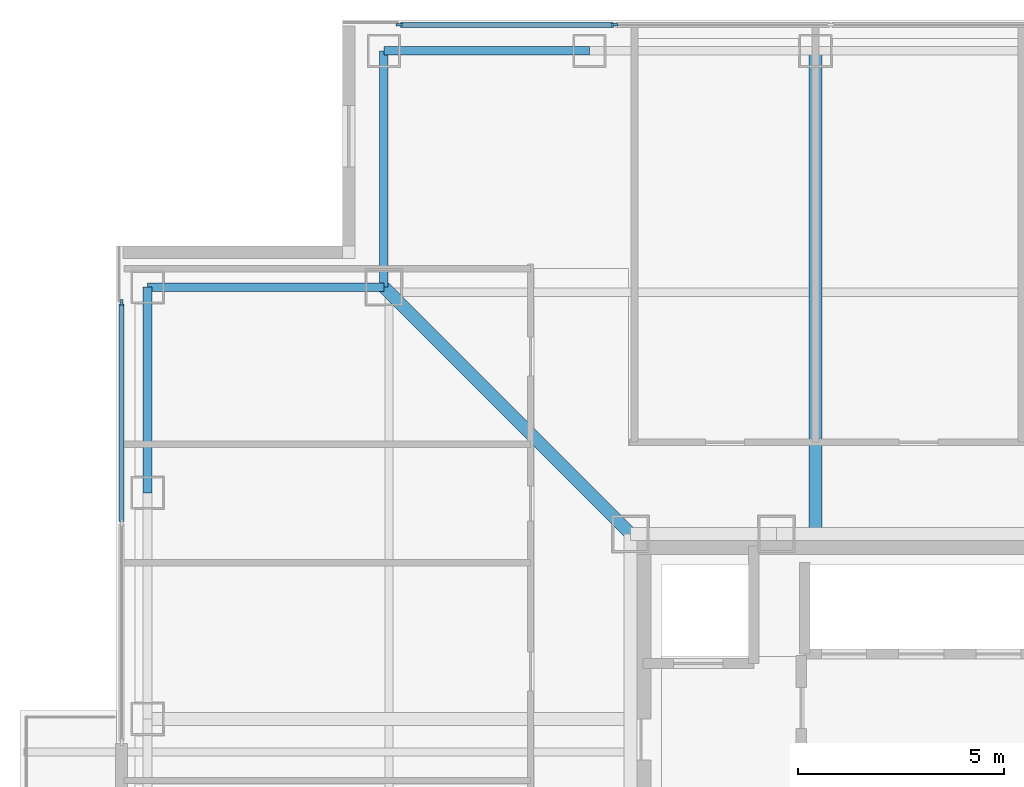
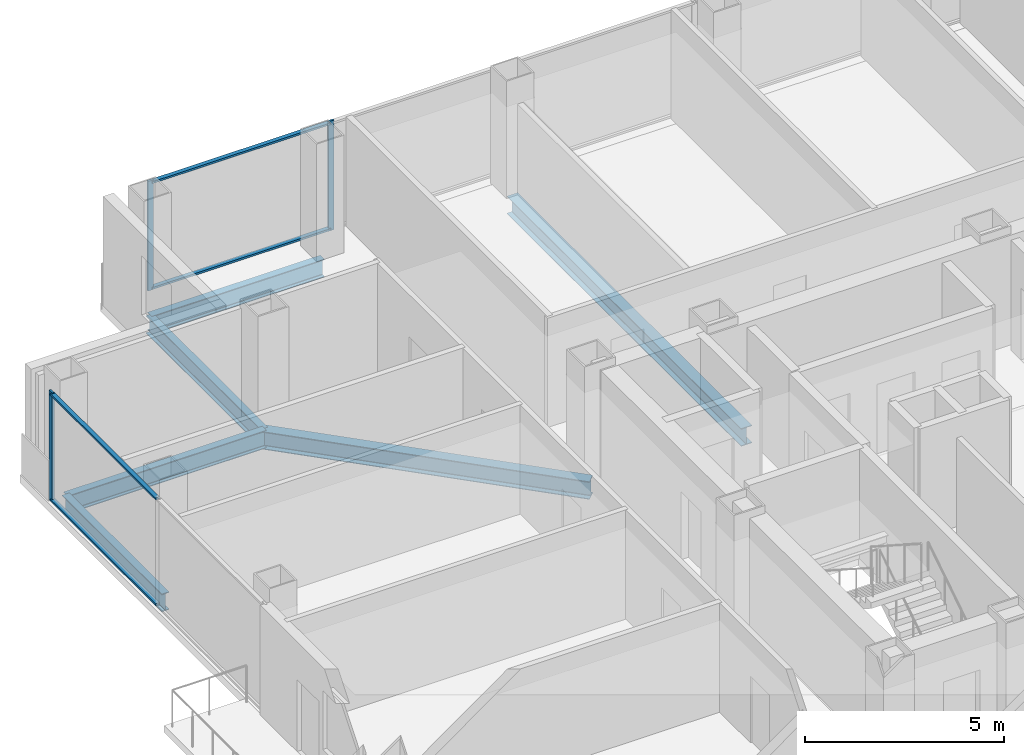
# One storey, part 7 of 16: 7 members, 6 beams, 2 elements without a shape of their own.
"""IFC4 building model written with IfcOpenShell, lengths in metres."""

from ifc_helpers import new_model, si_unit, direction, frame, origin, origin_2d, place, context, subcontext, project, spatial, rectangle, i_section, extrude, material, layer, layer_set, material_profile, profile_set, type_object, element, aggregate, save


model = new_model("IFC4")

# Units and contexts
model_context = context("Model", 3, precision=1e-05, world=origin(), true_north=direction((0.0, 1.0)))
body_context = subcontext(model_context, "Body", "Model", "MODEL_VIEW")
ifc_project = project(units=[si_unit("LENGTHUNIT", "METRE"), si_unit("AREAUNIT", "SQUARE_METRE"), si_unit("VOLUMEUNIT", "CUBIC_METRE"), si_unit("PLANEANGLEUNIT", "RADIAN"), si_unit("MASSUNIT", "GRAM", prefix="KILO")], contexts=[model_context])

# Site, building, storey
site_placement = place(None, origin())
site = spatial("IfcSite", under=ifc_project, at=site_placement, CompositionType="ELEMENT")
building_placement = place(site_placement, origin())
building = spatial("IfcBuilding", under=site, at=building_placement, Name="Trevonay Congress Spire", CompositionType="ELEMENT")
storey_placement = place(building_placement, frame((0.0, 0.0, 177.0)))
storey = spatial("IfcBuildingStorey", under=building, at=storey_placement, Name="L45", CompositionType="ELEMENT", Elevation=177.0)

# Beams
ifc_material_1 = material(Name="Steel ASTM A572 Grade 50", Category="steel")
ifc_material_profile_1 = material_profile(ifc_material_1, i_section(OverallWidth=0.31201171875, OverallDepth=0.54296875, WebThickness=0.0126953125, FlangeThickness=0.020263671875, FilletRadius=0.014892578125, at=origin_2d()), Name="W530x150")
ifc_profile_set_1 = profile_set([ifc_material_profile_1], Name="Steel ASTM A572 Grade 50")
beam_type_1 = type_object("IfcBeamType", Name="BM-GIRD-W530X150", PredefinedType="BEAM", material=ifc_profile_set_1)
beam_1_placement = place(storey_placement, frame((-7.5, 7.5, -0.511474609375), z_axis=(-0.707106781187, 0.707106781187, 0.0), x_axis=(-0.707106781187, -0.707106781187, 0.0)))
element("IfcBeam", 1, at=beam_1_placement, inside=storey, type_object=beam_type_1, Name="L45 structural beam BM-L45-CDNW", PredefinedType="BEAM", context=body_context, shape_type="SweptSolid", body=[
    extrude(i_section(OverallWidth=0.31201171875, OverallDepth=0.54296875, WebThickness=0.0126953125, FlangeThickness=0.020263671875, FilletRadius=0.014892578125, at=origin_2d()), origin(), (0.0, 0.0, 1.0), 8.4853515625),
])
beam_2_placement = place(storey_placement, frame((-3.0, 7.5, -0.511474609375), z_axis=(0.0, 1.0, 0.0), x_axis=(-1.0, 0.0, 0.0)))
element("IfcBeam", 2, at=beam_2_placement, inside=storey, type_object=beam_type_1, Name="L45 structural beam BM-L45-GN-M", PredefinedType="BEAM", context=body_context, shape_type="SweptSolid", body=[
    extrude(i_section(OverallWidth=0.31201171875, OverallDepth=0.54296875, WebThickness=0.0126953125, FlangeThickness=0.020263671875, FilletRadius=0.014892578125, at=origin_2d()), origin(), (0.0, 0.0, 1.0), 11.75),
])
ifc_material_profile_2 = material_profile(ifc_material_1, i_section(OverallWidth=0.2119140625, OverallDepth=0.5439453125, WebThickness=0.01318359375, FlangeThickness=0.021240234375, FilletRadius=0.014892578125, at=origin_2d()), Name="W530x123")
ifc_profile_set_2 = profile_set([ifc_material_profile_2], Name="Steel ASTM A572 Grade 50")
beam_type_2 = type_object("IfcBeamType", Name="BM-RING-W530X123", PredefinedType="BEAM", material=ifc_profile_set_2)
for number, where, z_axis, x_axis, name in (
    (3, (-13.5, 19.25, -0.511962890625), (1.0, 0.0, 0.0), (0.0, 1.0, 0.0), "L45 structural beam BM-L45-PN1"),
    (4, (-19.25, 8.5, -0.511962890625), (0.0, 1.0, 0.0), (-1.0, 0.0, 0.0), "L45 structural beam BM-L45-PW5"),
):
    element("IfcBeam", number, at=place(storey_placement, frame(where, z_axis=z_axis, x_axis=x_axis)), inside=storey, type_object=beam_type_2, Name=name, PredefinedType="BEAM", context=body_context, shape_type="SweptSolid", body=[
        extrude(i_section(OverallWidth=0.2119140625, OverallDepth=0.5439453125, WebThickness=0.01318359375, FlangeThickness=0.021240234375, FilletRadius=0.014892578125, at=origin_2d()), origin(), (0.0, 0.0, 1.0), 5.0),
    ])
for number, where, z_axis, x_axis, name in (
    (5, (-13.5, 19.25, -0.511962890625), (0.0, -1.0, 0.0), (1.0, 0.0, 0.0), "L45 structural beam BM-L45-N1NW"),
    (6, (-19.25, 13.5, -0.511962890625), (1.0, 0.0, 0.0), (0.0, 1.0, 0.0), "L45 structural beam BM-L45-N2NW"),
):
    element("IfcBeam", number, at=place(storey_placement, frame(where, z_axis=z_axis, x_axis=x_axis)), inside=storey, type_object=beam_type_2, Name=name, PredefinedType="BEAM", context=body_context, shape_type="SweptSolid", body=[
        extrude(i_section(OverallWidth=0.2119140625, OverallDepth=0.5439453125, WebThickness=0.01318359375, FlangeThickness=0.021240234375, FilletRadius=0.014892578125, at=origin_2d()), origin(), (0.0, 0.0, 1.0), 5.75),
    ])

# Curtain wall, members
ifc_material_2 = material(Name="Pale Anodised Aluminium EN AW-6063-T6", Category="aluminium")
ifc_layer = layer(ifc_material_2, 0.169921875, Name="Pale Anodised Aluminium EN AW-6063-T6")
ifc_layer_set = layer_set([ifc_layer], Name="Pale Anodised Aluminium EN AW-6063-T6")
curtain_wall_type = type_object("IfcCurtainWallType", Name="CW-SYS04-CORP-PALE-METAL", PredefinedType="NOTDEFINED", material=ifc_layer_set)
curtain_wall_1_placement = place(storey_placement, origin())
curtain_wall_1 = element("IfcCurtainWall", 7, at=curtain_wall_1_placement, inside=storey, type_object=curtain_wall_type, Name="L45 N unitised curtain wall", PredefinedType="NOTDEFINED")
ifc_material_profile_3 = material_profile(ifc_material_2, rectangle(XDim=0.06005859375, YDim=0.159912109375, at=origin_2d()), Name="CW-MULLION-160-ALUMINIUM")
ifc_profile_set_3 = profile_set([ifc_material_profile_3], Name="Pale Anodised Aluminium EN AW-6063-T6")
member_type_1 = type_object("IfcMemberType", Name="CW-MULLION-160-ALUMINIUM", PredefinedType="MULLION", material=ifc_profile_set_3)
member_1_placement = place(storey_placement, frame((-13.1201171875, 19.8798828125, 0.0), z_axis=(0.0, 0.0, 1.0), x_axis=(0.0, 1.0, 0.0)))
member_1 = element("IfcMember", 8, at=member_1_placement, type_object=member_type_1, Name="CW04 mullion 1", PredefinedType="MULLION", context=body_context, shape_type="SweptSolid", body=[
    extrude(rectangle(XDim=0.06005859375, YDim=0.159912109375, at=origin_2d()), origin(), (0.0, 0.0, 1.0), 3.360107421875),
])
member_2_placement = place(storey_placement, frame((-7.889892578125, 19.8798828125, 0.0), z_axis=(0.0, 0.0, 1.0), x_axis=(0.0, 1.0, 0.0)))
member_2 = element("IfcMember", 9, at=member_2_placement, type_object=member_type_1, Name="CW04 mullion 2", PredefinedType="MULLION", context=body_context, shape_type="SweptSolid", body=[
    extrude(rectangle(XDim=0.06005859375, YDim=0.159912109375, at=origin_2d()), origin(), (0.0, 0.0, 1.0), 3.360107421875),
])

# Curtain wall, member
curtain_wall_2_placement = place(storey_placement, origin())
curtain_wall_2 = element("IfcCurtainWall", 10, at=curtain_wall_2_placement, inside=storey, type_object=curtain_wall_type, Name="L45 WB unitised curtain wall", PredefinedType="NOTDEFINED")
member_3_placement = place(storey_placement, frame((-19.8798828125, 13.1201171875, 0.0), z_axis=(0.0, 0.0, 1.0), x_axis=(-1.0, 0.0, 0.0)))
member_3 = element("IfcMember", 11, at=member_3_placement, type_object=member_type_1, Name="CW04 mullion 3", PredefinedType="MULLION", context=body_context, shape_type="SweptSolid", body=[
    extrude(rectangle(XDim=0.06005859375, YDim=0.159912109375, at=origin_2d()), origin(), (0.0, 0.0, 1.0), 3.360107421875),
])

# Member
ifc_material_profile_4 = material_profile(ifc_material_2, rectangle(XDim=0.1201171875, YDim=0.06005859375, at=origin_2d()), Name="CW-TRANSOM-120-ALUMINIUM")
ifc_profile_set_4 = profile_set([ifc_material_profile_4], Name="Pale Anodised Aluminium EN AW-6063-T6")
member_type_2 = type_object("IfcMemberType", Name="CW-TRANSOM-120-ALUMINIUM", PredefinedType="USERDEFINED", material=ifc_profile_set_4)
member_4_placement = place(storey_placement, frame((-13.090087890625, 19.8798828125, 0.06005859375), z_axis=(1.0, 0.0, 0.0), x_axis=(0.0, 1.0, 0.0)))
member_4 = element("IfcMember", 12, at=member_4_placement, type_object=member_type_2, Name="CW04 transom 1.1", ObjectType="TRANSOM", PredefinedType="USERDEFINED", context=body_context, shape_type="SweptSolid", body=[
    extrude(rectangle(XDim=0.1201171875, YDim=0.06005859375, at=origin_2d()), origin(), (0.0, 0.0, 1.0), 5.170166015625),
])

member_5_placement = place(storey_placement, frame((-13.090087890625, 19.8798828125, 3.300048828125), z_axis=(1.0, 0.0, 0.0), x_axis=(0.0, 1.0, 0.0)))
member_5 = element("IfcMember", 13, at=member_5_placement, type_object=member_type_2, Name="CW04 transom 1.2", ObjectType="TRANSOM", PredefinedType="USERDEFINED", context=body_context, shape_type="SweptSolid", body=[
    extrude(rectangle(XDim=0.1201171875, YDim=0.06005859375, at=origin_2d()), origin(), (0.0, 0.0, 1.0), 5.170166015625),
])

aggregate(curtain_wall_1, [member_1, member_2, member_4, member_5])

member_6_placement = place(storey_placement, frame((-19.8798828125, 7.804931640625, 0.06005859375), z_axis=(0.0, 1.0, 0.0), x_axis=(-1.0, 0.0, 0.0)))
member_6 = element("IfcMember", 14, at=member_6_placement, type_object=member_type_2, Name="CW04 transom 2.1", ObjectType="TRANSOM", PredefinedType="USERDEFINED", context=body_context, shape_type="SweptSolid", body=[
    extrude(rectangle(XDim=0.1201171875, YDim=0.06005859375, at=origin_2d()), origin(), (0.0, 0.0, 1.0), 5.28515625),
])

member_7_placement = place(storey_placement, frame((-19.8798828125, 7.804931640625, 3.300048828125), z_axis=(0.0, 1.0, 0.0), x_axis=(-1.0, 0.0, 0.0)))
member_7 = element("IfcMember", 15, at=member_7_placement, type_object=member_type_2, Name="CW04 transom 2.2", ObjectType="TRANSOM", PredefinedType="USERDEFINED", context=body_context, shape_type="SweptSolid", body=[
    extrude(rectangle(XDim=0.1201171875, YDim=0.06005859375, at=origin_2d()), origin(), (0.0, 0.0, 1.0), 5.28515625),
])

aggregate(curtain_wall_2, [member_3, member_6, member_7])

save(model, "model.ifc")
